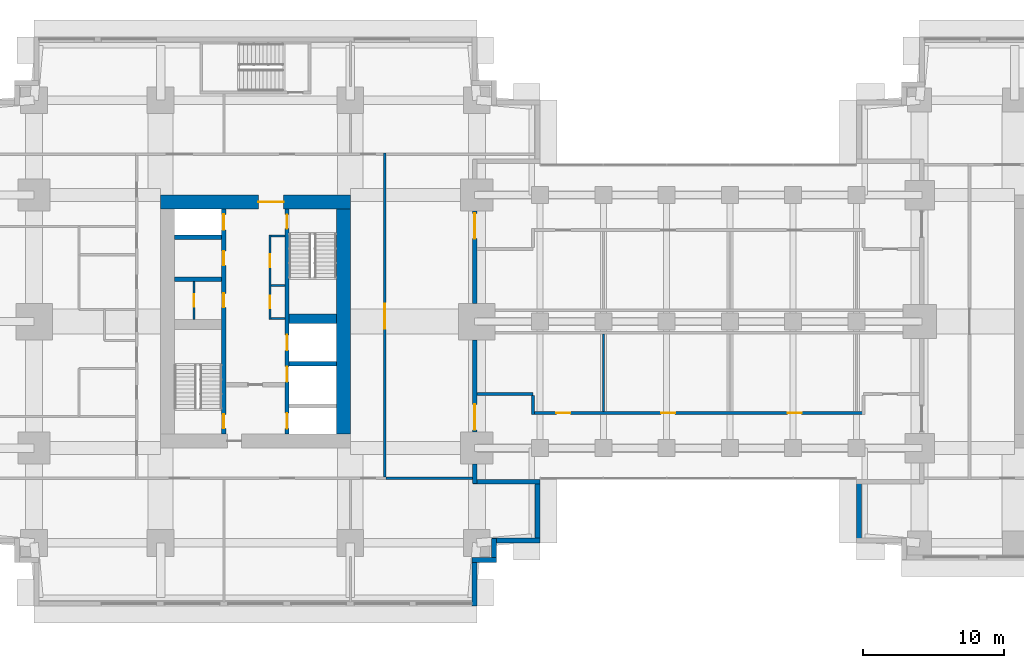
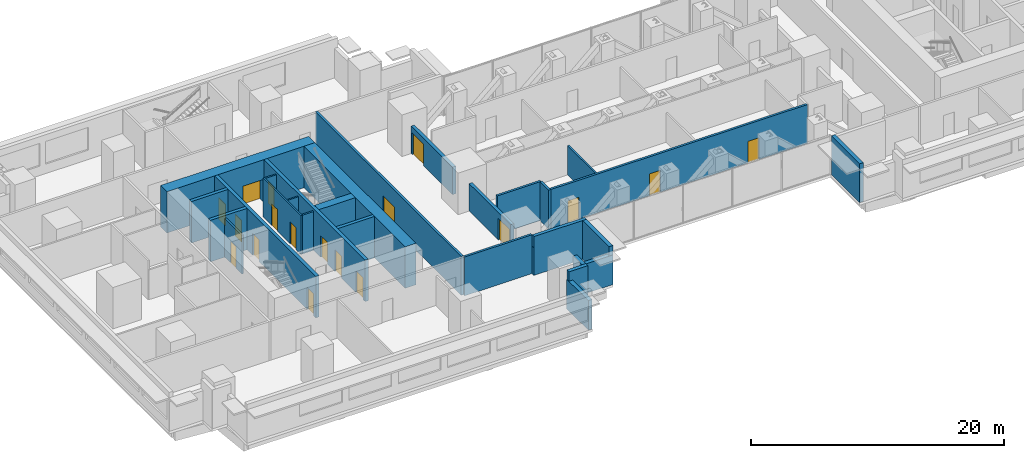
# One storey, part 8 of 16: 29 walls, 18 doors, 18 openings.
"""IFC4 building model written with IfcOpenShell, lengths in metres."""

from ifc_helpers import new_model, si_unit, direction, frame, frame_2d, origin, place, context, subcontext, project, spatial, rectangle, extrude, material, layer, layer_set, type_object, element, fill, save


model = new_model("IFC4")

# Units and contexts
model_context = context("Model", 3, precision=1e-05, world=origin(), true_north=direction((0.0, 1.0)))
body_context = subcontext(model_context, "Body", "Model", "MODEL_VIEW")
ifc_project = project(units=[si_unit("LENGTHUNIT", "METRE"), si_unit("AREAUNIT", "SQUARE_METRE"), si_unit("VOLUMEUNIT", "CUBIC_METRE"), si_unit("PLANEANGLEUNIT", "RADIAN"), si_unit("MASSUNIT", "GRAM", prefix="KILO")], contexts=[model_context])

# Site, building, storey
site_placement = place(None, origin())
site = spatial("IfcSite", under=ifc_project, at=site_placement, CompositionType="ELEMENT")
building_placement = place(site_placement, origin())
building = spatial("IfcBuilding", under=site, at=building_placement, Name="Namib Vertical Campus", CompositionType="ELEMENT")
storey_placement = place(building_placement, frame((0.0, 0.0, 121.0)))
storey = spatial("IfcBuildingStorey", under=building, at=storey_placement, Name="L28", CompositionType="ELEMENT", Elevation=121.0)

# Wall, openings, doors
ifc_material_1 = material(Name="Concrete C60/75", Category="concrete")
ifc_layer_1 = layer(ifc_material_1, 0.300048828125)
ifc_layer_set_1 = layer_set([ifc_layer_1], Name="Concrete C60/75")
wall_type_1 = type_object("IfcWallType", Name="Core inner wall 300", PredefinedType="SHEAR", material=ifc_layer_set_1)
wall_1_placement = place(storey_placement, frame((18.0, 12.25, 0.0), z_axis=(0.0, 0.0, 1.0), x_axis=(0.0, 1.0, 0.0)))
wall_1 = element("IfcWall", 1, at=wall_1_placement, inside=storey, type_object=wall_type_1, Name="Core inner wall A L28 W1", PredefinedType="SHEAR", context=body_context, shape_type="SweptSolid", body=[
    extrude(rectangle(XDim=16.0, YDim=0.300048828125, at=frame_2d((8.0, 0.0))), origin(), (0.0, 0.0, 1.0), 4.0),
])
opening_1_placement = place(wall_1_placement, frame((0.39990234375, 0.0, 0.0)))
opening_1 = element("IfcOpeningElement", 2, at=opening_1_placement, cuts=wall_1, Name="Opening FD1", PredefinedType="OPENING", context=body_context, shape_type="SweptSolid", body=[
    extrude(rectangle(XDim=1.0, YDim=2.10009765625, at=frame_2d((0.5, 1.050048828125))), frame((0.0, 0.159912109375, 0.0), z_axis=(0.0, -1.0, 0.0), x_axis=(1.0, 0.0, 0.0)), (0.0, 0.0, 1.0), 0.320068359375),
])
opening_2_placement = place(wall_1_placement, frame((14.52490234375, 0.0, 0.0)))
opening_2 = element("IfcOpeningElement", 3, at=opening_2_placement, cuts=wall_1, Name="Opening LD1", PredefinedType="OPENING", context=body_context, shape_type="SweptSolid", body=[
    extrude(rectangle(XDim=1.10009765625, YDim=2.10009765625, at=frame_2d((0.550048828125, 1.050048828125))), frame((0.0, 0.159912109375, 0.0), z_axis=(0.0, -1.0, 0.0), x_axis=(1.0, 0.0, 0.0)), (0.0, 0.0, 1.0), 0.320068359375),
])
opening_3_placement = place(wall_1_placement, frame((9.0, 0.0, 0.0)))
opening_3 = element("IfcOpeningElement", 4, at=opening_3_placement, cuts=wall_1, Name="Opening D1", PredefinedType="OPENING", context=body_context, shape_type="SweptSolid", body=[
    extrude(rectangle(XDim=1.0, YDim=2.10009765625, at=frame_2d((0.5, 1.050048828125))), frame((0.0, 0.159912109375, 0.0), z_axis=(0.0, -1.0, 0.0), x_axis=(1.0, 0.0, 0.0)), (0.0, 0.0, 1.0), 0.320068359375),
])
opening_4_placement = place(wall_1_placement, frame((12.0, 0.0, 0.0)))
opening_4 = element("IfcOpeningElement", 5, at=opening_4_placement, cuts=wall_1, Name="Opening D1", PredefinedType="OPENING", context=body_context, shape_type="SweptSolid", body=[
    extrude(rectangle(XDim=1.0, YDim=2.10009765625, at=frame_2d((0.5, 1.050048828125))), frame((0.0, 0.159912109375, 0.0), z_axis=(0.0, -1.0, 0.0), x_axis=(1.0, 0.0, 0.0)), (0.0, 0.0, 1.0), 0.320068359375),
])
ifc_material_2 = material(Name="Timber door leaf", Category="wood")
door_type_1 = type_object("IfcDoorType", Name="Door single 1000x2100", OperationType="SINGLE_SWING_LEFT", PredefinedType="DOOR", material=ifc_material_2)
door_1_placement = place(opening_3_placement, origin())
door_1 = element("IfcDoor", 6, at=door_1_placement, inside=storey, type_object=door_type_1, Name="Door D1 Store A L28 P1", OperationType="SINGLE_SWING_LEFT", OverallHeight=2.10009765625, OverallWidth=1.0, PredefinedType="DOOR", context=body_context, shape_type="SweptSolid", body=[
    extrude(rectangle(XDim=1.0, YDim=2.10009765625, at=frame_2d((0.5, 1.050048828125))), frame((0.0, 0.02490234375, 0.0), z_axis=(0.0, -1.0, 0.0), x_axis=(1.0, 0.0, 0.0)), (0.0, 0.0, 1.0), 0.050048828125),
])
fill(opening_3, door_1)
door_2_placement = place(opening_4_placement, origin())
door_2 = element("IfcDoor", 7, at=door_2_placement, inside=storey, type_object=door_type_1, Name="Door D1 Cleaners' store A L28 P2", OperationType="SINGLE_SWING_LEFT", OverallHeight=2.10009765625, OverallWidth=1.0, PredefinedType="DOOR", context=body_context, shape_type="SweptSolid", body=[
    extrude(rectangle(XDim=1.0, YDim=2.10009765625, at=frame_2d((0.5, 1.050048828125))), frame((0.0, 0.02490234375, 0.0), z_axis=(0.0, -1.0, 0.0), x_axis=(1.0, 0.0, 0.0)), (0.0, 0.0, 1.0), 0.050048828125),
])
fill(opening_4, door_2)
ifc_material_3 = material(Name="Steel fire door", Category="steel")
door_type_2 = type_object("IfcDoorType", Name="Fire door 1000x2100", OperationType="SINGLE_SWING_RIGHT", PredefinedType="DOOR", material=ifc_material_3)
door_3_placement = place(opening_1_placement, origin())
door_3 = element("IfcDoor", 8, at=door_3_placement, inside=storey, type_object=door_type_2, Name="Stair door FD1 A L28 S1", OperationType="SINGLE_SWING_LEFT", OverallHeight=2.10009765625, OverallWidth=1.0, PredefinedType="DOOR", context=body_context, shape_type="SweptSolid", body=[
    extrude(rectangle(XDim=1.0, YDim=2.10009765625, at=frame_2d((0.5, 1.050048828125))), frame((0.0, 0.02490234375, 0.0), z_axis=(0.0, -1.0, 0.0), x_axis=(1.0, 0.0, 0.0)), (0.0, 0.0, 1.0), 0.050048828125),
])
fill(opening_1, door_3)
ifc_material_4 = material(Name="Stainless steel lift door", Category="steel")
door_type_3 = type_object("IfcDoorType", Name="Lift landing door 1100x2100", OperationType="DOUBLE_DOOR_SLIDING", PredefinedType="DOOR", material=ifc_material_4)
door_4_placement = place(opening_2_placement, origin())
door_4 = element("IfcDoor", 9, at=door_4_placement, inside=storey, type_object=door_type_3, Name="Lift landing door LD1 A-P3 L28", OperationType="DOUBLE_DOOR_SLIDING", OverallHeight=2.10009765625, OverallWidth=1.10009765625, PredefinedType="DOOR", context=body_context, shape_type="SweptSolid", body=[
    extrude(rectangle(XDim=1.10009765625, YDim=2.10009765625, at=frame_2d((0.550048828125, 1.050048828125))), frame((0.0, 0.02490234375, 0.0), z_axis=(0.0, -1.0, 0.0), x_axis=(1.0, 0.0, 0.0)), (0.0, 0.0, 1.0), 0.050048828125),
])
fill(opening_2, door_4)

wall_2_placement = place(storey_placement, frame((22.5, 12.25, 0.0), z_axis=(0.0, 0.0, 1.0), x_axis=(0.0, 1.0, 0.0)))
wall_2 = element("IfcWall", 10, at=wall_2_placement, inside=storey, type_object=wall_type_1, Name="Core inner wall A L28 W2", PredefinedType="SHEAR", context=body_context, shape_type="SweptSolid", body=[
    extrude(rectangle(XDim=16.0, YDim=0.300048828125, at=frame_2d((8.0, 0.0))), origin(), (0.0, 0.0, 1.0), 4.0),
])
opening_5_placement = place(wall_2_placement, frame((14.60009765625, 0.0, 0.0)))
opening_5 = element("IfcOpeningElement", 11, at=opening_5_placement, cuts=wall_2, Name="Opening FD1", PredefinedType="OPENING", context=body_context, shape_type="SweptSolid", body=[
    extrude(rectangle(XDim=1.0, YDim=2.10009765625, at=frame_2d((0.5, 1.050048828125))), frame((0.0, 0.159912109375, 0.0), z_axis=(0.0, -1.0, 0.0), x_axis=(1.0, 0.0, 0.0)), (0.0, 0.0, 1.0), 0.320068359375),
])
opening_6_placement = place(wall_2_placement, frame((0.375, 0.0, 0.0)))
opening_6 = element("IfcOpeningElement", 12, at=opening_6_placement, cuts=wall_2, Name="Opening LD1", PredefinedType="OPENING", context=body_context, shape_type="SweptSolid", body=[
    extrude(rectangle(XDim=1.10009765625, YDim=2.10009765625, at=frame_2d((0.550048828125, 1.050048828125))), frame((0.0, 0.159912109375, 0.0), z_axis=(0.0, -1.0, 0.0), x_axis=(1.0, 0.0, 0.0)), (0.0, 0.0, 1.0), 0.320068359375),
])
opening_7_placement = place(wall_2_placement, frame((3.699951171875, 0.0, 0.0)))
opening_7 = element("IfcOpeningElement", 13, at=opening_7_placement, cuts=wall_2, Name="Opening LD1", PredefinedType="OPENING", context=body_context, shape_type="SweptSolid", body=[
    extrude(rectangle(XDim=1.10009765625, YDim=2.10009765625, at=frame_2d((0.550048828125, 1.050048828125))), frame((0.0, 0.159912109375, 0.0), z_axis=(0.0, -1.0, 0.0), x_axis=(1.0, 0.0, 0.0)), (0.0, 0.0, 1.0), 0.320068359375),
])
opening_8_placement = place(wall_2_placement, frame((5.949951171875, 0.0, 0.0)))
opening_8 = element("IfcOpeningElement", 14, at=opening_8_placement, cuts=wall_2, Name="Opening LD1", PredefinedType="OPENING", context=body_context, shape_type="SweptSolid", body=[
    extrude(rectangle(XDim=1.10009765625, YDim=2.10009765625, at=frame_2d((0.550048828125, 1.050048828125))), frame((0.0, 0.159912109375, 0.0), z_axis=(0.0, -1.0, 0.0), x_axis=(1.0, 0.0, 0.0)), (0.0, 0.0, 1.0), 0.320068359375),
])
door_5_placement = place(opening_5_placement, frame((1.0, 0.0, 0.0), z_axis=(0.0, 0.0, 1.0), x_axis=(-1.0, 0.0, 0.0)))
door_5 = element("IfcDoor", 15, at=door_5_placement, inside=storey, type_object=door_type_2, Name="Stair door FD1 A L28 S2", OperationType="SINGLE_SWING_LEFT", OverallHeight=2.10009765625, OverallWidth=1.0, PredefinedType="DOOR", context=body_context, shape_type="SweptSolid", body=[
    extrude(rectangle(XDim=1.0, YDim=2.10009765625, at=frame_2d((0.5, 1.050048828125))), frame((0.0, 0.02490234375, 0.0), z_axis=(0.0, -1.0, 0.0), x_axis=(1.0, 0.0, 0.0)), (0.0, 0.0, 1.0), 0.050048828125),
])
fill(opening_5, door_5)
door_6_placement = place(opening_6_placement, origin())
door_6 = element("IfcDoor", 16, at=door_6_placement, inside=storey, type_object=door_type_3, Name="Lift landing door LD1 A-FL1 L28", OperationType="DOUBLE_DOOR_SLIDING", OverallHeight=2.10009765625, OverallWidth=1.10009765625, PredefinedType="DOOR", context=body_context, shape_type="SweptSolid", body=[
    extrude(rectangle(XDim=1.10009765625, YDim=2.10009765625, at=frame_2d((0.550048828125, 1.050048828125))), frame((0.0, 0.02490234375, 0.0), z_axis=(0.0, -1.0, 0.0), x_axis=(1.0, 0.0, 0.0)), (0.0, 0.0, 1.0), 0.050048828125),
])
fill(opening_6, door_6)
door_7_placement = place(opening_7_placement, origin())
door_7 = element("IfcDoor", 17, at=door_7_placement, inside=storey, type_object=door_type_3, Name="Lift landing door LD1 A-P4 L28", OperationType="DOUBLE_DOOR_SLIDING", OverallHeight=2.10009765625, OverallWidth=1.10009765625, PredefinedType="DOOR", context=body_context, shape_type="SweptSolid", body=[
    extrude(rectangle(XDim=1.10009765625, YDim=2.10009765625, at=frame_2d((0.550048828125, 1.050048828125))), frame((0.0, 0.02490234375, 0.0), z_axis=(0.0, -1.0, 0.0), x_axis=(1.0, 0.0, 0.0)), (0.0, 0.0, 1.0), 0.050048828125),
])
fill(opening_7, door_7)
door_8_placement = place(opening_8_placement, origin())
door_8 = element("IfcDoor", 18, at=door_8_placement, inside=storey, type_object=door_type_3, Name="Lift landing door LD1 A-P5 L28", OperationType="DOUBLE_DOOR_SLIDING", OverallHeight=2.10009765625, OverallWidth=1.10009765625, PredefinedType="DOOR", context=body_context, shape_type="SweptSolid", body=[
    extrude(rectangle(XDim=1.10009765625, YDim=2.10009765625, at=frame_2d((0.550048828125, 1.050048828125))), frame((0.0, 0.02490234375, 0.0), z_axis=(0.0, -1.0, 0.0), x_axis=(1.0, 0.0, 0.0)), (0.0, 0.0, 1.0), 0.050048828125),
])
fill(opening_8, door_8)

# Walls
for number, where, z_axis, x_axis, name in (
    (19, (22.64990234375, 17.25, 0.0), (0.0, 0.0, 1.0), (1.0, 0.0, 0.0), "Core inner wall A L28 W6"),
    (20, (14.5, 23.25, 0.0), (0.0, 0.0, 1.0), (1.0, 0.0, 0.0), "Core inner wall A L28 W8"),
    (21, (14.5, 26.25, 0.0), (0.0, 0.0, 1.0), (1.0, 0.0, 0.0), "Core inner wall A L28 W9"),
):
    element("IfcWall", number, at=place(storey_placement, frame(where, z_axis=z_axis, x_axis=x_axis)), inside=storey, type_object=wall_type_1, Name=name, PredefinedType="SHEAR", context=body_context, shape_type="SweptSolid", body=[
        extrude(rectangle(XDim=3.35009765625, YDim=0.300048828125, at=frame_2d((1.675048828125, 0.0))), origin(), (0.0, 0.0, 1.0), 4.0),
    ])
ifc_material_5 = material(Name="Concrete C60/75", Category="concrete")
ifc_layer_2 = layer(ifc_material_5, 0.699951171875)
ifc_layer_set_2 = layer_set([ifc_layer_2], Name="Concrete C60/75")
wall_type_2 = type_object("IfcWallType", Name="Core shear wall 700", PredefinedType="SHEAR", material=ifc_layer_set_2)
wall_3_placement = place(storey_placement, frame((22.64990234375, 20.449951171875, 0.0), z_axis=(0.0, 0.0, 1.0), x_axis=(1.0, 0.0, 0.0)))
element("IfcWall", 22, at=wall_3_placement, inside=storey, type_object=wall_type_2, Name="Core shear wall A L28 W7", PredefinedType="SHEAR", context=body_context, shape_type="SweptSolid", body=[
    extrude(rectangle(XDim=3.35009765625, YDim=0.699951171875, at=frame_2d((1.675048828125, 0.0))), origin(), (0.0, 0.0, 1.0), 4.0),
])
ifc_material_6 = material(Name="Concrete C60/75", Category="concrete")
ifc_layer_3 = layer(ifc_material_6, 1.0)
ifc_layer_set_3 = layer_set([ifc_layer_3], Name="Concrete C60/75")
wall_type_3 = type_object("IfcWallType", Name="Core wall 1000", PredefinedType="SHEAR", material=ifc_layer_set_3)
wall_4_placement = place(storey_placement, frame((26.5, 12.25, 0.0), z_axis=(0.0, 0.0, 1.0), x_axis=(0.0, 1.0, 0.0)))
element("IfcWall", 23, at=wall_4_placement, inside=storey, type_object=wall_type_3, Name="Core wall A L28 2", PredefinedType="SHEAR", context=body_context, shape_type="SweptSolid", body=[
    extrude(rectangle(XDim=16.0, YDim=1.0, at=frame_2d((8.0, 0.0))), origin(), (0.0, 0.0, 1.0), 4.0),
])

# Wall, opening, door
wall_5_placement = place(storey_placement, frame((27.0, 28.75, 0.0), z_axis=(0.0, 0.0, 1.0), x_axis=(-1.0, 0.0, 0.0)))
wall_5 = element("IfcWall", 24, at=wall_5_placement, inside=storey, type_object=wall_type_3, Name="Core wall A L28 3", PredefinedType="SHEAR", context=body_context, shape_type="SweptSolid", body=[
    extrude(rectangle(XDim=13.5, YDim=1.0, at=frame_2d((6.75, 0.0))), origin(), (0.0, 0.0, 1.0), 4.0),
])
opening_9_placement = place(wall_5_placement, frame((4.75, 0.0, 0.0)))
opening_9 = element("IfcOpeningElement", 25, at=opening_9_placement, cuts=wall_5, Name="Opening FD2", PredefinedType="OPENING", context=body_context, shape_type="SweptSolid", body=[
    extrude(rectangle(XDim=1.800048828125, YDim=2.10009765625, at=frame_2d((0.89990234375, 1.050048828125))), frame((0.0, 0.510009765625, 0.0), z_axis=(0.0, -1.0, 0.0), x_axis=(1.0, 0.0, 0.0)), (0.0, 0.0, 1.0), 1.02001953125),
])
ifc_material_7 = material(Name="Steel fire door", Category="steel")
door_type_4 = type_object("IfcDoorType", Name="Fire door double 1800x2100", OperationType="DOUBLE_DOOR_SINGLE_SWING", PredefinedType="DOOR", material=ifc_material_7)
door_9_placement = place(opening_9_placement, origin())
door_9 = element("IfcDoor", 26, at=door_9_placement, inside=storey, type_object=door_type_4, Name="Lift lobby door FD2 A L28", OperationType="DOUBLE_DOOR_SINGLE_SWING", OverallHeight=2.10009765625, OverallWidth=1.800048828125, PredefinedType="DOOR", context=body_context, shape_type="SweptSolid", body=[
    extrude(rectangle(XDim=1.800048828125, YDim=2.10009765625, at=frame_2d((0.89990234375, 1.050048828125))), frame((0.0, 0.02490234375, 0.0), z_axis=(0.0, -1.0, 0.0), x_axis=(1.0, 0.0, 0.0)), (0.0, 0.0, 1.0), 0.050048828125),
])
fill(opening_9, door_9)

ifc_material_8 = material(Name="Concrete masonry", Category="masonry")
ifc_layer_4 = layer(ifc_material_8, 0.199951171875)
ifc_layer_set_4 = layer_set([ifc_layer_4], Name="Corridor wall 200")
wall_type_4 = type_object("IfcWallType", Name="Corridor wall 200", PredefinedType="SOLIDWALL", material=ifc_layer_set_4)
wall_6_placement = place(storey_placement, frame((29.449951171875, 9.199951171875, 0.0), z_axis=(0.0, 0.0, 1.0), x_axis=(0.0, 1.0, 0.0)))
wall_6 = element("IfcWall", 27, at=wall_6_placement, inside=storey, type_object=wall_type_4, Name="Corridor wall A L28 CE", PredefinedType="SOLIDWALL", context=body_context, shape_type="SweptSolid", body=[
    extrude(rectangle(XDim=23.050048828125, YDim=0.199951171875, at=frame_2d((11.52490234375, 0.0))), origin(), (0.0, 0.0, 1.0), 3.75),
])
opening_10_placement = place(wall_6_placement, frame((10.52490234375, 0.0, 0.0)))
opening_10 = element("IfcOpeningElement", 28, at=opening_10_placement, cuts=wall_6, Name="Opening FD2", PredefinedType="OPENING", context=body_context, shape_type="SweptSolid", body=[
    extrude(rectangle(XDim=1.800048828125, YDim=2.10009765625, at=frame_2d((0.89990234375, 1.050048828125))), frame((0.0, 0.10986328125, 0.0), z_axis=(0.0, -1.0, 0.0), x_axis=(1.0, 0.0, 0.0)), (0.0, 0.0, 1.0), 0.219970703125),
])
door_10_placement = place(opening_10_placement, origin())
door_10 = element("IfcDoor", 29, at=door_10_placement, inside=storey, type_object=door_type_4, Name="Door FD2 A28-04", OperationType="DOUBLE_DOOR_SINGLE_SWING", OverallHeight=2.10009765625, OverallWidth=1.800048828125, PredefinedType="DOOR", context=body_context, shape_type="SweptSolid", body=[
    extrude(rectangle(XDim=1.800048828125, YDim=2.10009765625, at=frame_2d((0.89990234375, 1.050048828125))), frame((0.0, 0.02490234375, 0.0), z_axis=(0.0, -1.0, 0.0), x_axis=(1.0, 0.0, 0.0)), (0.0, 0.0, 1.0), 0.050048828125),
])
fill(opening_10, door_10)

# Wall
wall_7_placement = place(storey_placement, frame((29.550048828125, 9.10009765625, 0.0), z_axis=(0.0, 0.0, 1.0), x_axis=(1.0, 0.0, 0.0)))
element("IfcWall", 30, at=wall_7_placement, inside=storey, type_object=wall_type_4, Name="Partition A L28 BSE", PredefinedType="SOLIDWALL", context=body_context, shape_type="SweptSolid", body=[
    extrude(rectangle(XDim=6.14990234375, YDim=0.199951171875, at=frame_2d((3.074951171875, 0.0))), origin(), (0.0, 0.0, 1.0), 3.75),
])

# Wall, openings, doors
wall_8_placement = place(storey_placement, frame((40.0, 13.75, 0.0), z_axis=(0.0, 0.0, 1.0), x_axis=(1.0, 0.0, 0.0)))
wall_8 = element("IfcWall", 31, at=wall_8_placement, inside=storey, type_object=wall_type_4, Name="Corridor wall L28", PredefinedType="SOLIDWALL", context=body_context, shape_type="SweptSolid", body=[
    extrude(rectangle(XDim=23.5, YDim=0.199951171875, at=frame_2d((11.75, 0.0))), origin(), (0.0, 0.0, 1.0), 3.75),
])
opening_11_placement = place(wall_8_placement, frame((1.64990234375, 0.0, 0.0)))
opening_11 = element("IfcOpeningElement", 32, at=opening_11_placement, cuts=wall_8, Name="Opening CD1", PredefinedType="OPENING", context=body_context, shape_type="SweptSolid", body=[
    extrude(rectangle(XDim=1.0, YDim=2.10009765625, at=frame_2d((0.5, 1.050048828125))), frame((0.0, 0.10986328125, 0.0), z_axis=(0.0, -1.0, 0.0), x_axis=(1.0, 0.0, 0.0)), (0.0, 0.0, 1.0), 0.219970703125),
])
opening_12_placement = place(wall_8_placement, frame((9.10009765625, 0.0, 0.0)))
opening_12 = element("IfcOpeningElement", 33, at=opening_12_placement, cuts=wall_8, Name="Opening CD1", PredefinedType="OPENING", context=body_context, shape_type="SweptSolid", body=[
    extrude(rectangle(XDim=1.0, YDim=2.10009765625, at=frame_2d((0.5, 1.050048828125))), frame((0.0, 0.10986328125, 0.0), z_axis=(0.0, -1.0, 0.0), x_axis=(1.0, 0.0, 0.0)), (0.0, 0.0, 1.0), 0.219970703125),
])
opening_13_placement = place(wall_8_placement, frame((18.10009765625, 0.0, 0.0)))
opening_13 = element("IfcOpeningElement", 34, at=opening_13_placement, cuts=wall_8, Name="Opening CD1", PredefinedType="OPENING", context=body_context, shape_type="SweptSolid", body=[
    extrude(rectangle(XDim=1.0, YDim=2.10009765625, at=frame_2d((0.5, 1.050048828125))), frame((0.0, 0.10986328125, 0.0), z_axis=(0.0, -1.0, 0.0), x_axis=(1.0, 0.0, 0.0)), (0.0, 0.0, 1.0), 0.219970703125),
])
ifc_material_9 = material(Name="Timber fire door leaf", Category="wood")
door_type_5 = type_object("IfcDoorType", Name="Corridor door 1000x2100 20 min", OperationType="SINGLE_SWING_LEFT", PredefinedType="DOOR", material=ifc_material_9)
door_11_placement = place(opening_11_placement, origin())
door_11 = element("IfcDoor", 35, at=door_11_placement, inside=storey, type_object=door_type_5, Name="Door CD1 BR28-03", OperationType="SINGLE_SWING_LEFT", OverallHeight=2.10009765625, OverallWidth=1.0, PredefinedType="DOOR", context=body_context, shape_type="SweptSolid", body=[
    extrude(rectangle(XDim=1.0, YDim=2.10009765625, at=frame_2d((0.5, 1.050048828125))), frame((0.0, 0.02490234375, 0.0), z_axis=(0.0, -1.0, 0.0), x_axis=(1.0, 0.0, 0.0)), (0.0, 0.0, 1.0), 0.050048828125),
])
fill(opening_11, door_11)
door_12_placement = place(opening_12_placement, origin())
door_12 = element("IfcDoor", 36, at=door_12_placement, inside=storey, type_object=door_type_5, Name="Door CD1 BR28-04", OperationType="SINGLE_SWING_RIGHT", OverallHeight=2.10009765625, OverallWidth=1.0, PredefinedType="DOOR", context=body_context, shape_type="SweptSolid", body=[
    extrude(rectangle(XDim=1.0, YDim=2.10009765625, at=frame_2d((0.5, 1.050048828125))), frame((0.0, 0.02490234375, 0.0), z_axis=(0.0, -1.0, 0.0), x_axis=(1.0, 0.0, 0.0)), (0.0, 0.0, 1.0), 0.050048828125),
])
fill(opening_12, door_12)
door_13_placement = place(opening_13_placement, origin())
door_13 = element("IfcDoor", 37, at=door_13_placement, inside=storey, type_object=door_type_5, Name="Door CD1 BR28-05", OperationType="SINGLE_SWING_RIGHT", OverallHeight=2.10009765625, OverallWidth=1.0, PredefinedType="DOOR", context=body_context, shape_type="SweptSolid", body=[
    extrude(rectangle(XDim=1.0, YDim=2.10009765625, at=frame_2d((0.5, 1.050048828125))), frame((0.0, 0.02490234375, 0.0), z_axis=(0.0, -1.0, 0.0), x_axis=(1.0, 0.0, 0.0)), (0.0, 0.0, 1.0), 0.050048828125),
])
fill(opening_13, door_13)

# Walls
wall_9_placement = place(storey_placement, frame((36.0, 15.10009765625, 0.0), z_axis=(0.0, 0.0, 1.0), x_axis=(1.0, 0.0, 0.0)))
element("IfcWall", 38, at=wall_9_placement, inside=storey, type_object=wall_type_4, Name="Lobby wall L28 W", PredefinedType="SOLIDWALL", context=body_context, shape_type="SweptSolid", body=[
    extrude(rectangle(XDim=4.0, YDim=0.199951171875, at=frame_2d((2.0, 0.0))), origin(), (0.0, 0.0, 1.0), 3.75),
])
wall_10_placement = place(storey_placement, frame((40.0, 13.64990234375, 0.0), z_axis=(0.0, 0.0, 1.0), x_axis=(0.0, 1.0, 0.0)))
element("IfcWall", 39, at=wall_10_placement, inside=storey, type_object=wall_type_4, Name="Lobby side wall L28 W", PredefinedType="SOLIDWALL", context=body_context, shape_type="SweptSolid", body=[
    extrude(rectangle(XDim=1.35009765625, YDim=0.199951171875, at=frame_2d((0.675048828125, 0.0))), origin(), (0.0, 0.0, 1.0), 3.75),
])
ifc_material_10 = material(Name="Concrete C40/50", Category="concrete")
ifc_layer_5 = layer(ifc_material_10, 0.35009765625)
ifc_layer_set_5 = layer_set([ifc_layer_5], Name="Concrete C40/50")
wall_type_5 = type_object("IfcWallType", Name="External wall 350 bush-hammered concrete", PredefinedType="STANDARD", material=ifc_layer_set_5)
wall_11_placement = place(storey_placement, frame((35.824951171875, 0.02001953125, 0.0), z_axis=(0.0, 0.0, 1.0), x_axis=(0.0, 1.0, 0.0)))
element("IfcWall", 40, at=wall_11_placement, inside=storey, type_object=wall_type_5, Name="External wall L28 F03", PredefinedType="STANDARD", context=body_context, shape_type="SweptSolid", body=[
    extrude(rectangle(XDim=3.409912109375, YDim=0.35009765625, at=frame_2d((1.705078125, 0.0))), origin(), (0.0, 0.0, 1.0), 2.85009765625),
])
for number, where, z_axis, x_axis, name in (
    (41, (35.669921875, 3.27490234375, 0.0), (0.0, 0.0, 1.0), (1.0, 0.0, 0.0), "External wall L28 F04"),
    (42, (37.22509765625, 3.1201171875, 0.0), (0.0, 0.0, 1.0), (0.0, 1.0, 0.0), "External wall L28 F05"),
):
    element("IfcWall", number, at=place(storey_placement, frame(where, z_axis=z_axis, x_axis=x_axis)), inside=storey, type_object=wall_type_5, Name=name, PredefinedType="STANDARD", context=body_context, shape_type="SweptSolid", body=[
        extrude(rectangle(XDim=1.7099609375, YDim=0.35009765625, at=frame_2d((0.85498046875, 0.0))), origin(), (0.0, 0.0, 1.0), 3.75),
    ])
wall_12_placement = place(storey_placement, frame((37.070068359375, 4.675048828125, 0.0), z_axis=(0.0, 0.0, 1.0), x_axis=(1.0, 0.0, 0.0)))
element("IfcWall", 43, at=wall_12_placement, inside=storey, type_object=wall_type_5, Name="External wall L28 F06", PredefinedType="STANDARD", context=body_context, shape_type="SweptSolid", body=[
    extrude(rectangle(XDim=3.409912109375, YDim=0.35009765625, at=frame_2d((1.705078125, 0.0))), origin(), (0.0, 0.0, 1.0), 2.85009765625),
])
for number, where, z_axis, x_axis, name in (
    (44, (40.324951171875, 4.52001953125, 0.0), (0.0, 0.0, 1.0), (0.0, 1.0, 0.0), "External wall L28 F07"),
    (45, (63.175048828125, 8.97998046875, 0.0), (0.0, 0.0, 1.0), (0.0, -1.0, 0.0), "External wall L28 F01"),
):
    element("IfcWall", number, at=place(storey_placement, frame(where, z_axis=z_axis, x_axis=x_axis)), inside=storey, type_object=wall_type_5, Name=name, PredefinedType="STANDARD", context=body_context, shape_type="SweptSolid", body=[
        extrude(rectangle(XDim=4.4599609375, YDim=0.35009765625, at=frame_2d((2.22998046875, 0.0))), origin(), (0.0, 0.0, 1.0), 3.75),
    ])
ifc_material_11 = material(Name="Concrete masonry", Category="masonry")
ifc_layer_6 = layer(ifc_material_11, 0.300048828125)
ifc_layer_set_6 = layer_set([ifc_layer_6], Name="Fire wall 300")
wall_type_6 = type_object("IfcWallType", Name="Fire wall 300", PredefinedType="SOLIDWALL", material=ifc_layer_set_6)
wall_13_placement = place(storey_placement, frame((40.47998046875, 8.85009765625, 0.0), z_axis=(0.0, 0.0, 1.0), x_axis=(-1.0, 0.0, 0.0)))
element("IfcWall", 46, at=wall_13_placement, inside=storey, type_object=wall_type_6, Name="External wall L28 F08", PredefinedType="SOLIDWALL", context=body_context, shape_type="SweptSolid", body=[
    extrude(rectangle(XDim=4.760009765625, YDim=0.300048828125, at=frame_2d((2.3798828125, 0.0))), origin(), (0.0, 0.0, 1.0), 3.75),
])
wall_14_placement = place(storey_placement, frame((35.85009765625, 8.719970703125, 0.0), z_axis=(0.0, 0.0, 1.0), x_axis=(0.0, 1.0, 0.0)))
element("IfcWall", 47, at=wall_14_placement, inside=storey, type_object=wall_type_6, Name="External wall L28 F09", PredefinedType="SOLIDWALL", context=body_context, shape_type="SweptSolid", body=[
    extrude(rectangle(XDim=1.380126953125, YDim=0.300048828125, at=frame_2d((0.68994140625, 0.0))), origin(), (0.0, 0.0, 1.0), 2.64990234375),
])

# Wall, opening, door
wall_15_placement = place(storey_placement, frame((35.85009765625, 12.39990234375, 0.0), z_axis=(0.0, 0.0, 1.0), x_axis=(0.0, 1.0, 0.0)))
wall_15 = element("IfcWall", 48, at=wall_15_placement, inside=storey, type_object=wall_type_6, Name="External wall L28 F09", PredefinedType="SOLIDWALL", context=body_context, shape_type="SweptSolid", body=[
    extrude(rectangle(XDim=6.550048828125, YDim=0.300048828125, at=frame_2d((3.27490234375, 0.0))), origin(), (0.0, 0.0, 1.0), 2.64990234375),
])
opening_14_placement = place(wall_15_placement, frame((0.14990234375, 0.0, 0.0)))
opening_14 = element("IfcOpeningElement", 49, at=opening_14_placement, cuts=wall_15, Name="Opening FD4", PredefinedType="OPENING", context=body_context, shape_type="SweptSolid", body=[
    extrude(rectangle(XDim=1.800048828125, YDim=2.10009765625, at=frame_2d((0.89990234375, 1.050048828125))), frame((0.0, 0.159912109375, 0.0), z_axis=(0.0, -1.0, 0.0), x_axis=(1.0, 0.0, 0.0)), (0.0, 0.0, 1.0), 0.320068359375),
])
ifc_material_12 = material(Name="Steel fire door", Category="steel")
door_type_6 = type_object("IfcDoorType", Name="Fire door double 1800x2100 120 min", OperationType="DOUBLE_DOOR_SINGLE_SWING", PredefinedType="DOOR", material=ifc_material_12)
door_14_placement = place(opening_14_placement, origin())
door_14 = element("IfcDoor", 50, at=door_14_placement, inside=storey, type_object=door_type_6, Name="Bridge fire door FD4 A L28", OperationType="DOUBLE_DOOR_SINGLE_SWING", OverallHeight=2.10009765625, OverallWidth=1.800048828125, PredefinedType="DOOR", context=body_context, shape_type="SweptSolid", body=[
    extrude(rectangle(XDim=1.800048828125, YDim=2.10009765625, at=frame_2d((0.89990234375, 1.050048828125))), frame((0.0, 0.02490234375, 0.0), z_axis=(0.0, -1.0, 0.0), x_axis=(1.0, 0.0, 0.0)), (0.0, 0.0, 1.0), 0.050048828125),
])
fill(opening_14, door_14)

wall_16_placement = place(storey_placement, frame((35.85009765625, 21.550048828125, 0.0), z_axis=(0.0, 0.0, 1.0), x_axis=(0.0, 1.0, 0.0)))
wall_16 = element("IfcWall", 51, at=wall_16_placement, inside=storey, type_object=wall_type_6, Name="External wall L28 F09", PredefinedType="SOLIDWALL", context=body_context, shape_type="SweptSolid", body=[
    extrude(rectangle(XDim=6.550048828125, YDim=0.300048828125, at=frame_2d((3.27490234375, 0.0))), origin(), (0.0, 0.0, 1.0), 2.64990234375),
])
opening_15_placement = place(wall_16_placement, frame((4.60009765625, 0.0, 0.0)))
opening_15 = element("IfcOpeningElement", 52, at=opening_15_placement, cuts=wall_16, Name="Opening FD4", PredefinedType="OPENING", context=body_context, shape_type="SweptSolid", body=[
    extrude(rectangle(XDim=1.800048828125, YDim=2.10009765625, at=frame_2d((0.89990234375, 1.050048828125))), frame((0.0, 0.159912109375, 0.0), z_axis=(0.0, -1.0, 0.0), x_axis=(1.0, 0.0, 0.0)), (0.0, 0.0, 1.0), 0.320068359375),
])
door_15_placement = place(opening_15_placement, origin())
door_15 = element("IfcDoor", 53, at=door_15_placement, inside=storey, type_object=door_type_6, Name="Bridge fire door FD4 A L28 north", OperationType="DOUBLE_DOOR_SINGLE_SWING", OverallHeight=2.10009765625, OverallWidth=1.800048828125, PredefinedType="DOOR", context=body_context, shape_type="SweptSolid", body=[
    extrude(rectangle(XDim=1.800048828125, YDim=2.10009765625, at=frame_2d((0.89990234375, 1.050048828125))), frame((0.0, 0.02490234375, 0.0), z_axis=(0.0, -1.0, 0.0), x_axis=(1.0, 0.0, 0.0)), (0.0, 0.0, 1.0), 0.050048828125),
])
fill(opening_15, door_15)

# Wall, openings, doors
ifc_material_13 = material(Name="Gypsum board on steel studs", Category="steel")
ifc_layer_7 = layer(ifc_material_13, 0.14990234375)
ifc_layer_set_7 = layer_set([ifc_layer_7], Name="Gypsum board on steel studs")
wall_type_7 = type_object("IfcWallType", Name="Partition 150", PredefinedType="PARTITIONING", material=ifc_layer_set_7)
wall_17_placement = place(storey_placement, frame((21.27490234375, 20.39990234375, 0.0), z_axis=(0.0, 0.0, 1.0), x_axis=(0.0, 1.0, 0.0)))
wall_17 = element("IfcWall", 54, at=wall_17_placement, inside=storey, type_object=wall_type_7, Name="Partition A L28 Cleaners' store and Tea point front", PredefinedType="PARTITIONING", context=body_context, shape_type="SweptSolid", body=[
    extrude(rectangle(XDim=6.0, YDim=0.14990234375, at=frame_2d((3.0, 0.0))), origin(), (0.0, 0.0, 1.0), 3.75),
])
opening_16_placement = place(wall_17_placement, frame((0.800048828125, 0.0, 0.0)))
opening_16 = element("IfcOpeningElement", 55, at=opening_16_placement, cuts=wall_17, Name="Opening D3", PredefinedType="OPENING", context=body_context, shape_type="SweptSolid", body=[
    extrude(rectangle(XDim=0.89990234375, YDim=2.10009765625, at=frame_2d((0.449951171875, 1.050048828125))), frame((0.0, 0.0849609375, 0.0), z_axis=(0.0, -1.0, 0.0), x_axis=(1.0, 0.0, 0.0)), (0.0, 0.0, 1.0), 0.169921875),
])
opening_17_placement = place(wall_17_placement, frame((3.72509765625, 0.0, 0.0)))
opening_17 = element("IfcOpeningElement", 56, at=opening_17_placement, cuts=wall_17, Name="Opening D3", PredefinedType="OPENING", context=body_context, shape_type="SweptSolid", body=[
    extrude(rectangle(XDim=0.89990234375, YDim=2.10009765625, at=frame_2d((0.449951171875, 1.050048828125))), frame((0.0, 0.0849609375, 0.0), z_axis=(0.0, -1.0, 0.0), x_axis=(1.0, 0.0, 0.0)), (0.0, 0.0, 1.0), 0.169921875),
])
ifc_material_14 = material(Name="Timber door leaf", Category="wood")
door_type_7 = type_object("IfcDoorType", Name="Toilet door 900x2100", OperationType="SINGLE_SWING_LEFT", PredefinedType="DOOR", material=ifc_material_14)
door_16_placement = place(opening_16_placement, frame((0.89990234375, 0.0, 0.0), z_axis=(0.0, 0.0, 1.0), x_axis=(-1.0, 0.0, 0.0)))
door_16 = element("IfcDoor", 57, at=door_16_placement, inside=storey, type_object=door_type_7, Name="Door D3 Cleaners' store A L28", OperationType="SINGLE_SWING_RIGHT", OverallHeight=2.10009765625, OverallWidth=0.89990234375, PredefinedType="DOOR", context=body_context, shape_type="SweptSolid", body=[
    extrude(rectangle(XDim=0.89990234375, YDim=2.10009765625, at=frame_2d((0.449951171875, 1.050048828125))), frame((0.0, 0.02490234375, 0.0), z_axis=(0.0, -1.0, 0.0), x_axis=(1.0, 0.0, 0.0)), (0.0, 0.0, 1.0), 0.050048828125),
])
fill(opening_16, door_16)
door_17_placement = place(opening_17_placement, frame((0.89990234375, 0.0, 0.0), z_axis=(0.0, 0.0, 1.0), x_axis=(-1.0, 0.0, 0.0)))
door_17 = element("IfcDoor", 58, at=door_17_placement, inside=storey, type_object=door_type_7, Name="Door D3 Tea point A L28", OperationType="SINGLE_SWING_RIGHT", OverallHeight=2.10009765625, OverallWidth=0.89990234375, PredefinedType="DOOR", context=body_context, shape_type="SweptSolid", body=[
    extrude(rectangle(XDim=0.89990234375, YDim=2.10009765625, at=frame_2d((0.449951171875, 1.050048828125))), frame((0.0, 0.02490234375, 0.0), z_axis=(0.0, -1.0, 0.0), x_axis=(1.0, 0.0, 0.0)), (0.0, 0.0, 1.0), 0.050048828125),
])
fill(opening_17, door_17)

# Walls
for number, where, z_axis, x_axis, name in (
    (59, (21.35009765625, 20.47509765625, 0.0), (0.0, 0.0, 1.0), (1.0, 0.0, 0.0), "Partition A L28 Cleaners' store and Tea point end 1"),
    (60, (21.35009765625, 22.824951171875, 0.0), (0.0, 0.0, 1.0), (1.0, 0.0, 0.0), "Partition A L28 Cleaners' store and Tea point division 2"),
    (61, (21.35009765625, 26.324951171875, 0.0), (0.0, 0.0, 1.0), (1.0, 0.0, 0.0), "Partition A L28 Cleaners' store and Tea point end 3"),
):
    element("IfcWall", number, at=place(storey_placement, frame(where, z_axis=z_axis, x_axis=x_axis)), inside=storey, type_object=wall_type_7, Name=name, PredefinedType="PARTITIONING", context=body_context, shape_type="SweptSolid", body=[
        extrude(rectangle(XDim=1.0, YDim=0.14990234375, at=frame_2d((0.5, 0.0))), origin(), (0.0, 0.0, 1.0), 3.75),
    ])

# Wall, opening, door
wall_18_placement = place(storey_placement, frame((15.875, 20.39990234375, 0.0), z_axis=(0.0, 0.0, 1.0), x_axis=(0.0, 1.0, 0.0)))
wall_18 = element("IfcWall", 62, at=wall_18_placement, inside=storey, type_object=wall_type_7, Name="Partition A L28 Store P1 back", PredefinedType="PARTITIONING", context=body_context, shape_type="SweptSolid", body=[
    extrude(rectangle(XDim=2.7001953125, YDim=0.14990234375, at=frame_2d((1.35009765625, 0.0))), origin(), (0.0, 0.0, 1.0), 3.75),
])
opening_18_placement = place(wall_18_placement, frame((0.89990234375, 0.0, 0.0)))
opening_18 = element("IfcOpeningElement", 63, at=opening_18_placement, cuts=wall_18, Name="Opening D3", PredefinedType="OPENING", context=body_context, shape_type="SweptSolid", body=[
    extrude(rectangle(XDim=0.89990234375, YDim=2.10009765625, at=frame_2d((0.449951171875, 1.050048828125))), frame((0.0, 0.0849609375, 0.0), z_axis=(0.0, -1.0, 0.0), x_axis=(1.0, 0.0, 0.0)), (0.0, 0.0, 1.0), 0.169921875),
])
door_18_placement = place(opening_18_placement, origin())
door_18 = element("IfcDoor", 64, at=door_18_placement, inside=storey, type_object=door_type_7, Name="Door D3 Store A L28 P1", OperationType="SINGLE_SWING_LEFT", OverallHeight=2.10009765625, OverallWidth=0.89990234375, PredefinedType="DOOR", context=body_context, shape_type="SweptSolid", body=[
    extrude(rectangle(XDim=0.89990234375, YDim=2.10009765625, at=frame_2d((0.449951171875, 1.050048828125))), frame((0.0, 0.02490234375, 0.0), z_axis=(0.0, -1.0, 0.0), x_axis=(1.0, 0.0, 0.0)), (0.0, 0.0, 1.0), 0.050048828125),
])
fill(opening_18, door_18)

# Wall
wall_19_placement = place(storey_placement, frame((45.0, 13.85009765625, 0.0), z_axis=(0.0, 0.0, 1.0), x_axis=(0.0, 1.0, 0.0)))
element("IfcWall", 65, at=wall_19_placement, inside=storey, type_object=wall_type_7, Name="Partition bridge L28 S1", PredefinedType="PARTITIONING", context=body_context, shape_type="SweptSolid", body=[
    extrude(rectangle(XDim=5.52490234375, YDim=0.14990234375, at=frame_2d((2.762451171875, 0.0))), origin(), (0.0, 0.0, 1.0), 2.82958984375),
])

save(model, "model.ifc")
